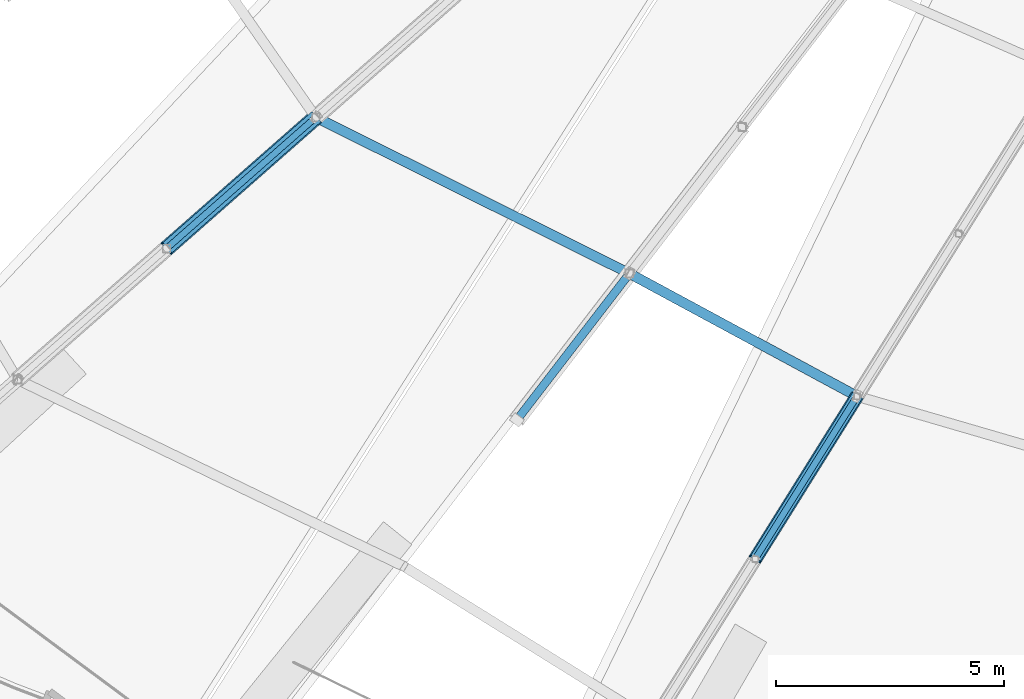
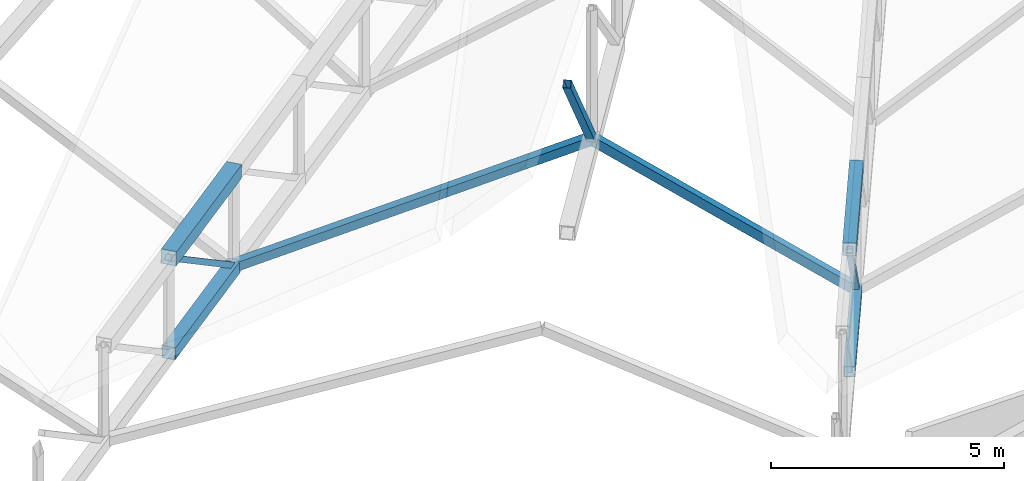
# One storey, part 12 of 344: 9 members.
"""IFC4 building model written with IfcOpenShell, lengths in metres."""

from ifc_helpers import new_model, si_unit, direction, frame, origin, origin_2d, place, context, subcontext, project, spatial, hollow_rectangle, extrude, material, material_profile, profile_set, type_object, element, save


model = new_model("IFC4")

# Units and contexts
model_context = context("Model", 3, precision=1e-05, world=origin(), true_north=direction((0.0, 1.0)))
body_context = subcontext(model_context, "Body", "Model", "MODEL_VIEW")
ifc_project = project(units=[si_unit("LENGTHUNIT", "METRE"), si_unit("AREAUNIT", "SQUARE_METRE"), si_unit("VOLUMEUNIT", "CUBIC_METRE"), si_unit("PLANEANGLEUNIT", "RADIAN"), si_unit("MASSUNIT", "GRAM", prefix="KILO")], contexts=[model_context])

# Site, building, storey
site_placement = place(None, origin())
site = spatial("IfcSite", under=ifc_project, at=site_placement, CompositionType="ELEMENT")
building_placement = place(site_placement, origin())
building = spatial("IfcBuilding", under=site, at=building_placement, Name="Meseta Stadium", CompositionType="ELEMENT")
storey_placement = place(building_placement, frame((0.0, 0.0, 24.0)))
storey = spatial("IfcBuildingStorey", under=building, at=storey_placement, Name="L04", CompositionType="ELEMENT", Elevation=24.0)

# Members
ifc_material_1 = material(Name="Steel S355", Category="steel")
ifc_material_profile_1 = material_profile(ifc_material_1, hollow_rectangle(XDim=0.139892578125, YDim=0.139892578125, WallThickness=0.0048828125, at=origin_2d()), Name="SHS 140x140x5")
ifc_profile_set_1 = profile_set([ifc_material_profile_1], Name="Steel S355")
member_type_1 = type_object("IfcMemberType", Name="SHS 140x140x5 diagonal", PredefinedType="BRACE", material=ifc_profile_set_1)
member_1_placement = place(storey_placement, frame((-51.51416015625, -73.2724609375, 3.32080078125), z_axis=(-0.612525461727, -0.538281334019, 0.578848653953), x_axis=(0.660115564574, -0.751164057585, 0.0)))
element("IfcMember", 1, at=member_1_placement, inside=storey, type_object=member_type_1, Name="ROOF TRUSS RT-41 diagonal", PredefinedType="BRACE", context=body_context, shape_type="SweptSolid", body=[
    extrude(hollow_rectangle(XDim=0.139892578125, YDim=0.139892578125, WallThickness=0.0048828125, at=origin_2d()), origin(), (0.0, 0.0, 1.0), 5.35009765625),
])
member_2_placement = place(storey_placement, frame((-39.62548828125, -79.40087890625, 2.261962890625), z_axis=(-0.38565285101, -0.616673984515, 0.686283524012), x_axis=(0.847855154969, -0.53022790967, 0.0)))
element("IfcMember", 2, at=member_2_placement, inside=storey, type_object=member_type_1, Name="ROOF TRUSS RT-43 diagonal", PredefinedType="BRACE", context=body_context, shape_type="SweptSolid", body=[
    extrude(hollow_rectangle(XDim=0.139892578125, YDim=0.139892578125, WallThickness=0.0048828125, at=origin_2d()), origin(), (0.0, 0.0, 1.0), 5.797607421875),
])
ifc_material_2 = material(Name="Steel S355", Category="steel")
ifc_material_profile_2 = material_profile(ifc_material_2, hollow_rectangle(XDim=0.179931640625, YDim=0.179931640625, WallThickness=0.00634765625, at=origin_2d()), Name="SHS 180x180x6.3")
ifc_profile_set_2 = profile_set([ifc_material_profile_2], Name="Steel S355")
member_type_2 = type_object("IfcMemberType", Name="SHS 180x180x6.3 diagonal", PredefinedType="BRACE", material=ifc_profile_set_2)
member_3_placement = place(storey_placement, frame((-44.622802734375, -76.703369140625, 6.316162109375), z_axis=(-0.42143458468, -0.548097750937, 0.722483042191), x_axis=(0.792749139849, -0.609548030321, 0.0)))
element("IfcMember", 3, at=member_3_placement, inside=storey, type_object=member_type_2, Name="ROOF TRUSS RT-42 diagonal", PredefinedType="BRACE", context=body_context, shape_type="SweptSolid", body=[
    extrude(hollow_rectangle(XDim=0.179931640625, YDim=0.179931640625, WallThickness=0.00634765625, at=origin_2d()), origin(), (0.0, 0.0, 1.0), 5.873046875),
])
ifc_material_3 = material(Name="Steel S355", Category="steel")
ifc_material_profile_3 = material_profile(ifc_material_3, hollow_rectangle(XDim=0.219970703125, YDim=0.219970703125, WallThickness=0.008056640625, at=origin_2d()), Name="SHS 220x220x8")
ifc_profile_set_3 = profile_set([ifc_material_profile_3], Name="Steel S355")
member_type_3 = type_object("IfcMemberType", Name="SHS 220x220x8 strut", PredefinedType="STRUT", material=ifc_profile_set_3)
member_4_placement = place(storey_placement, frame((-51.51416015625, -73.2724609375, 3.32080078125), z_axis=(0.834264864282, -0.415344320606, 0.362617197006), x_axis=(0.445677975444, 0.895193354647, 0.0)))
element("IfcMember", 4, at=member_4_placement, inside=storey, type_object=member_type_3, Name="ROOF TRUSS STRUT RT-41/42", PredefinedType="STRUT", context=body_context, shape_type="SweptSolid", body=[
    extrude(hollow_rectangle(XDim=0.219970703125, YDim=0.219970703125, WallThickness=0.008056640625, at=origin_2d()), origin(), (0.0, 0.0, 1.0), 8.260498046875),
])
member_5_placement = place(storey_placement, frame((-44.622802734375, -76.703369140625, 6.316162109375), z_axis=(0.716198737929, -0.38659826349, -0.581034551861), x_axis=(0.475007114288, 0.879981955142, 0.0)))
element("IfcMember", 5, at=member_5_placement, inside=storey, type_object=member_type_3, Name="ROOF TRUSS STRUT RT-42/43", PredefinedType="STRUT", context=body_context, shape_type="SweptSolid", body=[
    extrude(hollow_rectangle(XDim=0.219970703125, YDim=0.219970703125, WallThickness=0.008056640625, at=origin_2d()), origin(), (0.0, 0.0, 1.0), 6.9775390625),
])
ifc_material_4 = material(Name="Steel S355", Category="steel")
ifc_material_profile_4 = material_profile(ifc_material_4, hollow_rectangle(XDim=0.25, YDim=0.25, WallThickness=0.010009765625, at=origin_2d()), Name="SHS 250x250x10")
ifc_profile_set_4 = profile_set([ifc_material_profile_4], Name="Steel S355")
member_type_4 = type_object("IfcMemberType", Name="SHS 250x250x10 bottom chord", PredefinedType="CHORD", material=ifc_profile_set_4)
member_6_placement = place(storey_placement, frame((-39.62548828125, -79.40087890625, 2.261962890625), z_axis=(-0.521409364603, -0.833753956676, 0.181622174392), x_axis=(0.847855154969, -0.53022790967, 0.0)))
element("IfcMember", 6, at=member_6_placement, inside=storey, type_object=member_type_4, Name="ROOF TRUSS RT-43 bottom chord", PredefinedType="CHORD", context=body_context, shape_type="SweptSolid", body=[
    extrude(hollow_rectangle(XDim=0.25, YDim=0.25, WallThickness=0.010009765625, at=origin_2d()), origin(), (0.0, 0.0, 1.0), 4.2880859375),
])
ifc_material_5 = material(Name="Steel S355", Category="steel")
ifc_material_profile_5 = material_profile(ifc_material_5, hollow_rectangle(XDim=0.300048828125, YDim=0.300048828125, WallThickness=0.010009765625, at=origin_2d()), Name="SHS 300x300x10")
ifc_profile_set_5 = profile_set([ifc_material_profile_5], Name="Steel S355")
member_type_5 = type_object("IfcMemberType", Name="SHS 300x300x10 bottom chord", PredefinedType="CHORD", material=ifc_profile_set_5)
member_7_placement = place(storey_placement, frame((-51.51416015625, -73.2724609375, 3.32080078125), z_axis=(-0.744083842422, -0.653893541325, 0.136976173331), x_axis=(0.660115564574, -0.751164057585, 0.0)))
element("IfcMember", 7, at=member_7_placement, inside=storey, type_object=member_type_5, Name="ROOF TRUSS RT-41 bottom chord", PredefinedType="CHORD", context=body_context, shape_type="SweptSolid", body=[
    extrude(hollow_rectangle(XDim=0.300048828125, YDim=0.300048828125, WallThickness=0.010009765625, at=origin_2d()), origin(), (0.0, 0.0, 1.0), 4.404296875),
])
ifc_material_6 = material(Name="Steel S355", Category="steel")
ifc_material_profile_6 = material_profile(ifc_material_6, hollow_rectangle(XDim=0.300048828125, YDim=0.300048828125, WallThickness=0.010009765625, at=origin_2d()), Name="SHS 300x300x10")
ifc_profile_set_6 = profile_set([ifc_material_profile_6], Name="Steel S355")
member_type_6 = type_object("IfcMemberType", Name="SHS 300x300x10 top chord", PredefinedType="CHORD", material=ifc_profile_set_6)
member_8_placement = place(storey_placement, frame((-39.62548828125, -79.40087890625, 5.462158203125), z_axis=(-0.521414755543, -0.833762577001, 0.181567116775), x_axis=(0.847855154969, -0.53022790967, 0.0)))
element("IfcMember", 8, at=member_8_placement, inside=storey, type_object=member_type_6, Name="ROOF TRUSS RT-43 top chord", PredefinedType="CHORD", context=body_context, shape_type="SweptSolid", body=[
    extrude(hollow_rectangle(XDim=0.300048828125, YDim=0.300048828125, WallThickness=0.010009765625, at=origin_2d()), origin(), (0.0, 0.0, 1.0), 4.2880859375),
])
ifc_material_7 = material(Name="Steel S355", Category="steel")
ifc_material_profile_7 = material_profile(ifc_material_7, hollow_rectangle(XDim=0.35009765625, YDim=0.35009765625, WallThickness=0.010009765625, at=origin_2d()), Name="SHS 350x350x10")
ifc_profile_set_7 = profile_set([ifc_material_profile_7], Name="Steel S355")
member_type_7 = type_object("IfcMemberType", Name="SHS 350x350x10 top chord", PredefinedType="CHORD", material=ifc_profile_set_7)
member_9_placement = place(storey_placement, frame((-51.51416015625, -73.2724609375, 5.814453125), z_axis=(-0.744083842422, -0.653893541325, 0.136976173331), x_axis=(0.660115564574, -0.751164057585, 0.0)))
element("IfcMember", 9, at=member_9_placement, inside=storey, type_object=member_type_7, Name="ROOF TRUSS RT-41 top chord", PredefinedType="CHORD", context=body_context, shape_type="SweptSolid", body=[
    extrude(hollow_rectangle(XDim=0.35009765625, YDim=0.35009765625, WallThickness=0.010009765625, at=origin_2d()), origin(), (0.0, 0.0, 1.0), 4.404296875),
])

save(model, "model.ifc")
